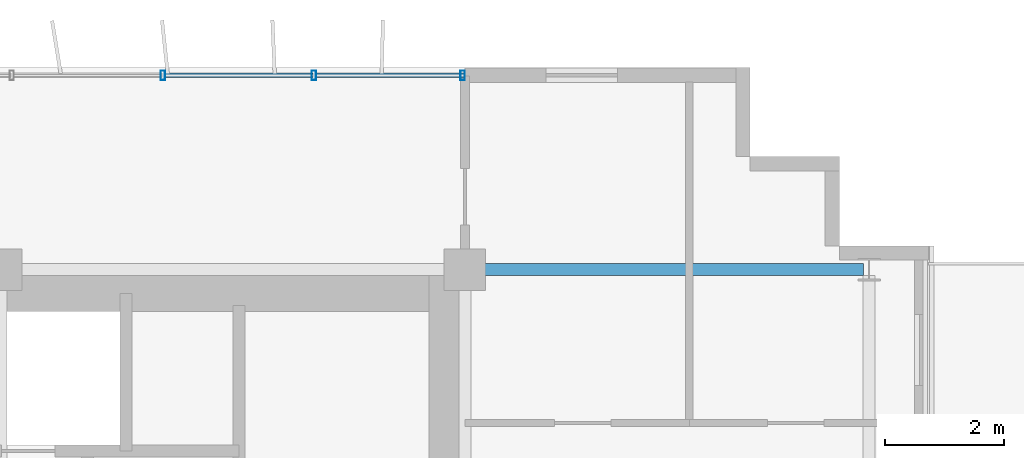
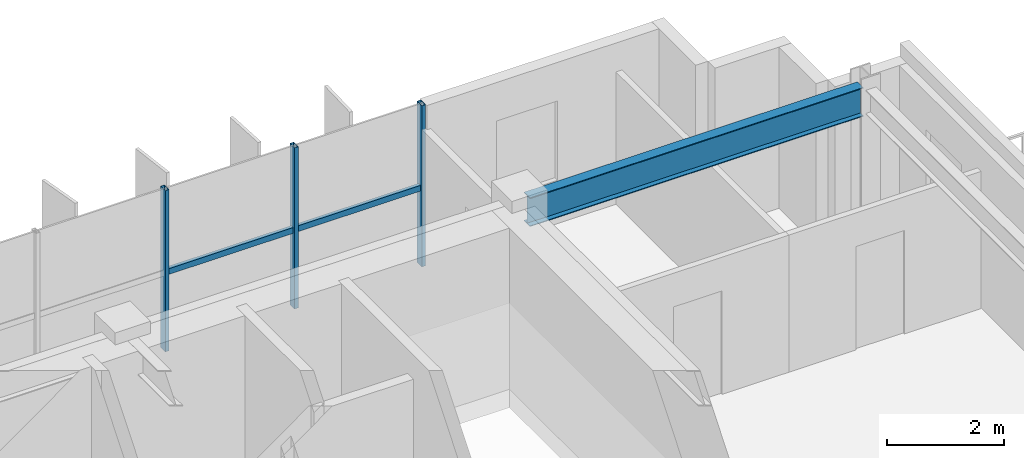
# One storey, part 11 of 22: 5 members, 1 beam, 1 element without a shape of its own.
"""IFC4 building model written with IfcOpenShell, lengths in metres."""

from ifc_helpers import new_model, si_unit, direction, frame, origin, origin_2d, place, context, subcontext, project, spatial, hollow_rectangle, i_section, extrude, source, transform, mapped, material, material_profile, profile_set, type_object, element, aggregate, save


model = new_model("IFC4")

# Units and contexts
model_context = context("Model", 3, precision=1e-05, world=origin(), true_north=direction((0.0, 1.0)))
body_context = subcontext(model_context, "Body", "Model", "MODEL_VIEW")
ifc_project = project(units=[si_unit("LENGTHUNIT", "METRE"), si_unit("AREAUNIT", "SQUARE_METRE"), si_unit("VOLUMEUNIT", "CUBIC_METRE"), si_unit("PLANEANGLEUNIT", "RADIAN"), si_unit("MASSUNIT", "GRAM", prefix="KILO")], contexts=[model_context])

# Site, building, storey
site_placement = place(None, origin())
site = spatial("IfcSite", under=ifc_project, at=site_placement, CompositionType="ELEMENT")
building_placement = place(site_placement, origin())
building = spatial("IfcBuilding", under=site, at=building_placement, Name="Trelvane Seafront Commons", CompositionType="ELEMENT")
storey_placement = place(building_placement, frame((0.0, 0.0, 132.10009765625)))
storey = spatial("IfcBuildingStorey", under=building, at=storey_placement, Name="L34", CompositionType="ELEMENT", Elevation=132.10009765625)

# Beam
ifc_material_1 = material(Name="Steel SM355 (S355)", Category="steel")
ifc_material_profile_1 = material_profile(ifc_material_1, i_section(OverallWidth=0.199951171875, OverallDepth=0.60009765625, WebThickness=0.010986328125, FlangeThickness=0.01708984375, at=origin_2d()), Name="H-600x200x11x17")
ifc_profile_set_1 = profile_set([ifc_material_profile_1], Name="Steel SM355 (S355)")
beam_type = type_object("IfcBeamType", Name="STR-SPD-H600", PredefinedType="SPANDREL", material=ifc_profile_set_1)
shared_shape_1 = source(origin(), body_context, "Body", "SweptSolid", [
    extrude(i_section(OverallWidth=0.199951171875, OverallDepth=0.60009765625, WebThickness=0.010986328125, FlangeThickness=0.01708984375, at=origin_2d()), origin(), (0.0, 0.0, 1.0), 6.554931640625),
])
beam_placement = place(storey_placement, frame((58.949951171875, 45.10009765625, 3.0498046875), z_axis=(1.0, 0.0, 0.0), x_axis=(0.0, 1.0, 0.0)))
element("IfcBeam", 1, at=beam_placement, inside=storey, type_object=beam_type, Name="L34 Primary Girder G-28", PredefinedType="SPANDREL", context=body_context, shape_type="MappedRepresentation", body=[
    mapped(shared_shape_1, transform((0.0, 0.0, 0.0), x_axis=(1.0, 0.0, 0.0), y_axis=(0.0, 1.0, 0.0), z_axis=(0.0, 0.0, 1.0), scale=1.0)),
])

# Curtain wall, members
ifc_material_2 = material(Name="Anodised pale-silver aluminium", Category="aluminium")
curtain_wall_type = type_object("IfcCurtainWallType", Name="ARCH-CW5-UPTOWER", PredefinedType="NOTDEFINED", material=ifc_material_2)
curtain_wall_placement = place(storey_placement, origin())
curtain_wall = element("IfcCurtainWall", 2, at=curtain_wall_placement, inside=storey, type_object=curtain_wall_type, Name="CW-L34-0061", PredefinedType="NOTDEFINED")
ifc_material_profile_2 = material_profile(ifc_material_2, hollow_rectangle(XDim=0.070068359375, YDim=0.1201171875, WallThickness=0.00390625, at=origin_2d()), Name="TRAN-70x120x4")
ifc_profile_set_2 = profile_set([ifc_material_profile_2], Name="Anodised pale-silver aluminium")
member_type_1 = type_object("IfcMemberType", Name="ARCH-CW-TRAN-120", PredefinedType="USERDEFINED", material=ifc_profile_set_2)
shared_shape_2 = source(origin(), body_context, "Body", "SweptSolid", [
    extrude(hollow_rectangle(XDim=0.070068359375, YDim=0.1201171875, WallThickness=0.00390625, at=origin_2d()), origin(), (0.0, 0.0, 1.0), 2.517333984375),
])
member_1_placement = place(storey_placement, frame((53.7294921875, 48.3701171875, 1.60791015625), z_axis=(1.0, 0.0, 0.0), x_axis=(0.0, 1.0, 0.0)))
member_1 = element("IfcMember", 3, at=member_1_placement, type_object=member_type_1, Name="CW-L34-0061-T15", ObjectType="TRANSOM", PredefinedType="USERDEFINED", context=body_context, shape_type="MappedRepresentation", body=[
    mapped(shared_shape_2, transform((0.0, 0.0, 0.0), x_axis=(1.0, 0.0, 0.0), y_axis=(0.0, 1.0, 0.0), z_axis=(0.0, 0.0, 1.0), scale=1.0)),
])
member_2_placement = place(storey_placement, frame((56.270751953125, 48.3701171875, 1.60791015625), z_axis=(1.0, 0.0, 0.0), x_axis=(0.0, 1.0, 0.0)))
member_2 = element("IfcMember", 4, at=member_2_placement, type_object=member_type_1, Name="CW-L34-0061-T16", ObjectType="TRANSOM", PredefinedType="USERDEFINED", context=body_context, shape_type="MappedRepresentation", body=[
    mapped(shared_shape_2, transform((0.0, 0.0, 0.0), x_axis=(1.0, 0.0, 0.0), y_axis=(0.0, 1.0, 0.0), z_axis=(0.0, 0.0, 1.0), scale=1.0)),
])
ifc_material_profile_3 = material_profile(ifc_material_2, hollow_rectangle(XDim=0.074951171875, YDim=0.159912109375, WallThickness=0.00390625, at=origin_2d()), Name="MULL-75x160x4")
ifc_profile_set_3 = profile_set([ifc_material_profile_3], Name="Anodised pale-silver aluminium")
member_type_2 = type_object("IfcMemberType", Name="ARCH-CW-MULL-160", PredefinedType="MULLION", material=ifc_profile_set_3)
shared_shape_3 = source(origin(), body_context, "Body", "SweptSolid", [
    extrude(hollow_rectangle(XDim=0.074951171875, YDim=0.159912109375, WallThickness=0.00390625, at=origin_2d()), origin(), (0.0, 0.0, 1.0), 3.349853515625),
])
member_3_placement = place(storey_placement, frame((53.717529296875, 48.3701171875, 0.0), z_axis=(0.0, 0.0, 1.0), x_axis=(1.0, 0.0, 0.0)))
member_3 = element("IfcMember", 5, at=member_3_placement, type_object=member_type_2, Name="CW-L34-0061-M15", PredefinedType="MULLION", context=body_context, shape_type="MappedRepresentation", body=[
    mapped(shared_shape_3, transform((0.0, 0.0, 0.0), x_axis=(1.0, 0.0, 0.0), y_axis=(0.0, 1.0, 0.0), z_axis=(0.0, 0.0, 1.0), scale=1.0)),
])
member_4_placement = place(storey_placement, frame((56.2587890625, 48.3701171875, 0.0), z_axis=(0.0, 0.0, 1.0), x_axis=(1.0, 0.0, 0.0)))
member_4 = element("IfcMember", 6, at=member_4_placement, type_object=member_type_2, Name="CW-L34-0061-M16", PredefinedType="MULLION", context=body_context, shape_type="MappedRepresentation", body=[
    mapped(shared_shape_3, transform((0.0, 0.0, 0.0), x_axis=(1.0, 0.0, 0.0), y_axis=(0.0, 1.0, 0.0), z_axis=(0.0, 0.0, 1.0), scale=1.0)),
])
member_5_placement = place(storey_placement, frame((58.760009765625, 48.3701171875, 0.0), z_axis=(0.0, 0.0, 1.0), x_axis=(1.0, 0.0, 0.0)))
member_5 = element("IfcMember", 7, at=member_5_placement, type_object=member_type_2, Name="CW-L34-0061-M17", PredefinedType="MULLION", context=body_context, shape_type="MappedRepresentation", body=[
    mapped(shared_shape_3, transform((0.0, 0.0, 0.0), x_axis=(1.0, 0.0, 0.0), y_axis=(0.0, 1.0, 0.0), z_axis=(0.0, 0.0, 1.0), scale=1.0)),
])
aggregate(curtain_wall, [member_3, member_4, member_5, member_1, member_2])

save(model, "model.ifc")
